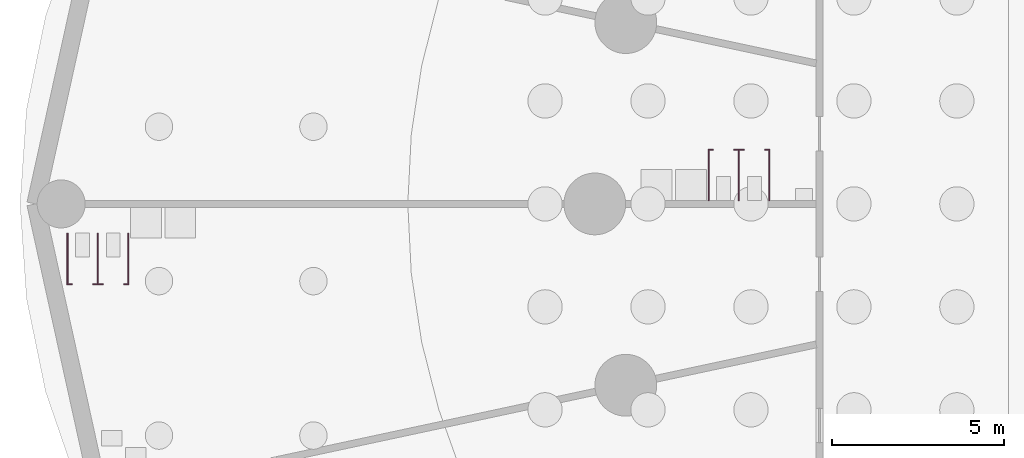
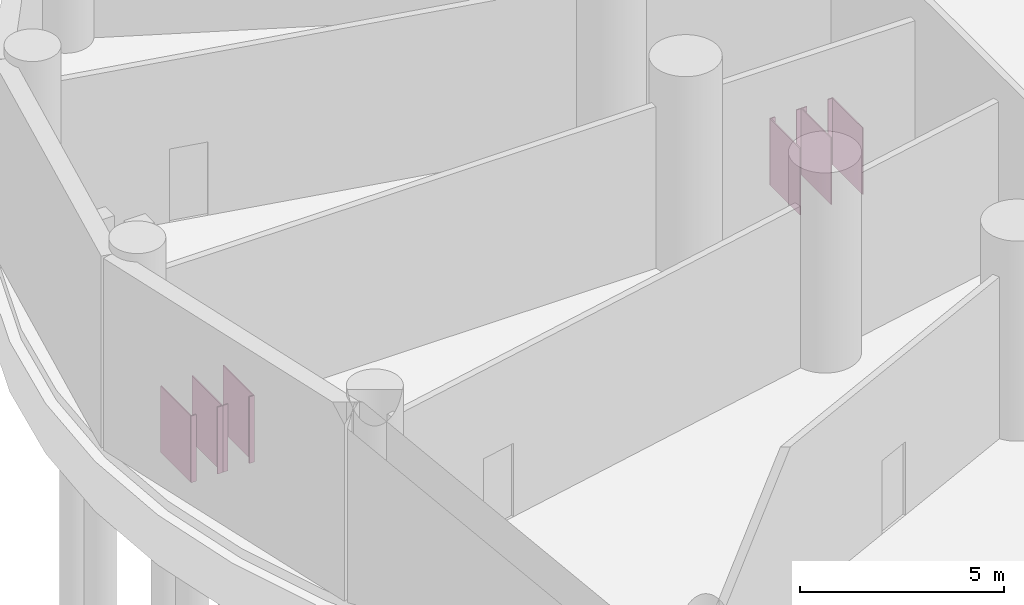
# One storey, part 11 of 12: 14 furniture elements.
"""IFC4 building model written with IfcOpenShell, lengths in metres."""

from ifc_helpers import new_model, si_unit, direction, frame, origin, origin_2d, place, context, subcontext, project, spatial, rectangle, extrude, element, save


model = new_model("IFC4")

# Units and contexts
model_context = context("Model", 3, precision=1e-05, world=origin(), true_north=direction((0.0, 1.0)))
body_context = subcontext(model_context, "Body", "Model", "MODEL_VIEW")
ifc_project = project(units=[si_unit("LENGTHUNIT", "METRE"), si_unit("AREAUNIT", "SQUARE_METRE"), si_unit("VOLUMEUNIT", "CUBIC_METRE"), si_unit("PLANEANGLEUNIT", "RADIAN"), si_unit("MASSUNIT", "GRAM", prefix="KILO")], contexts=[model_context])

# Site, building, storey
site_placement = place(None, origin())
site = spatial("IfcSite", under=ifc_project, at=site_placement, CompositionType="ELEMENT")
building_placement = place(site_placement, origin())
building = spatial("IfcBuilding", under=site, at=building_placement, Name="Hankou Lantern Tower", CompositionType="ELEMENT")
storey_placement = place(building_placement, frame((0.0, 0.0, -6.0)))
storey = spatial("IfcBuildingStorey", under=building, at=storey_placement, Name="B1", CompositionType="ELEMENT", Elevation=-6.0)

# Furniture
for number, where, z_axis, x_axis, name in (
    (1, (-20.465087890625, 0.8349609375, 0.0), (0.0, 0.0, 1.0), (-1.0, 0.0, 0.0), "Male staff WC and showers cubicle partition 1"),
    (2, (-21.35009765625, 0.8349609375, 0.0), (0.0, 0.0, 1.0), (-1.0, 0.0, 0.0), "Male staff WC and showers cubicle partition 2"),
    (3, (-22.235107421875, 0.8349609375, 0.0), (0.0, 0.0, 1.0), (-1.0, 0.0, 0.0), "Male staff WC and showers cubicle partition 3"),
):
    element("IfcFurniture", number, at=place(storey_placement, frame(where, z_axis=z_axis, x_axis=x_axis)), inside=storey, Name=name, ObjectType="WC cubicle partition", PredefinedType="USERDEFINED", context=body_context, shape_type="SweptSolid", body=[
        extrude(rectangle(XDim=0.030029296875, YDim=1.469970703125, at=origin_2d()), origin(), (0.0, 0.0, 1.0), 2.0),
    ])
for number, where, z_axis, x_axis, name in (
    (4, (-20.52490234375, 1.5849609375, 0.0), (0.0, 0.0, 1.0), (-1.0, 0.0, 0.0), "Male staff WC and showers cubicle partition 4"),
    (5, (-21.27490234375, 1.5849609375, 0.0), (0.0, 0.0, 1.0), (-1.0, 0.0, 0.0), "Male staff WC and showers cubicle partition 5"),
    (6, (-21.425048828125, 1.5849609375, 0.0), (0.0, 0.0, 1.0), (-1.0, 0.0, 0.0), "Male staff WC and showers cubicle partition 6"),
    (7, (-22.175048828125, 1.5849609375, 0.0), (0.0, 0.0, 1.0), (-1.0, 0.0, 0.0), "Male staff WC and showers cubicle partition 7"),
):
    element("IfcFurniture", number, at=place(storey_placement, frame(where, z_axis=z_axis, x_axis=x_axis)), inside=storey, Name=name, ObjectType="WC cubicle partition", PredefinedType="USERDEFINED", context=body_context, shape_type="SweptSolid", body=[
        extrude(rectangle(XDim=0.14990234375, YDim=0.030029296875, at=origin_2d()), origin(), (0.0, 0.0, 1.0), 2.0),
    ])
for number, where, z_axis, x_axis, name in (
    (8, (-40.916015625, -1.5849609375, 0.0), (0.0, 0.0, 1.0), (1.0, 0.0, 0.0), "Female staff WC and showers cubicle partition 1"),
    (9, (-40.031005859375, -1.5849609375, 0.0), (0.0, 0.0, 1.0), (1.0, 0.0, 0.0), "Female staff WC and showers cubicle partition 2"),
    (10, (-39.14599609375, -1.5849609375, 0.0), (0.0, 0.0, 1.0), (1.0, 0.0, 0.0), "Female staff WC and showers cubicle partition 3"),
):
    element("IfcFurniture", number, at=place(storey_placement, frame(where, z_axis=z_axis, x_axis=x_axis)), inside=storey, Name=name, ObjectType="WC cubicle partition", PredefinedType="USERDEFINED", context=body_context, shape_type="SweptSolid", body=[
        extrude(rectangle(XDim=0.030029296875, YDim=1.469970703125, at=origin_2d()), origin(), (0.0, 0.0, 1.0), 2.0),
    ])
for number, where, z_axis, x_axis, name in (
    (11, (-40.85595703125, -2.3349609375, 0.0), (0.0, 0.0, 1.0), (1.0, 0.0, 0.0), "Female staff WC and showers cubicle partition 4"),
    (12, (-40.10595703125, -2.3349609375, 0.0), (0.0, 0.0, 1.0), (1.0, 0.0, 0.0), "Female staff WC and showers cubicle partition 5"),
    (13, (-39.9560546875, -2.3349609375, 0.0), (0.0, 0.0, 1.0), (1.0, 0.0, 0.0), "Female staff WC and showers cubicle partition 6"),
    (14, (-39.2060546875, -2.3349609375, 0.0), (0.0, 0.0, 1.0), (1.0, 0.0, 0.0), "Female staff WC and showers cubicle partition 7"),
):
    element("IfcFurniture", number, at=place(storey_placement, frame(where, z_axis=z_axis, x_axis=x_axis)), inside=storey, Name=name, ObjectType="WC cubicle partition", PredefinedType="USERDEFINED", context=body_context, shape_type="SweptSolid", body=[
        extrude(rectangle(XDim=0.14990234375, YDim=0.030029296875, at=origin_2d()), origin(), (0.0, 0.0, 1.0), 2.0),
    ])

save(model, "model.ifc")
